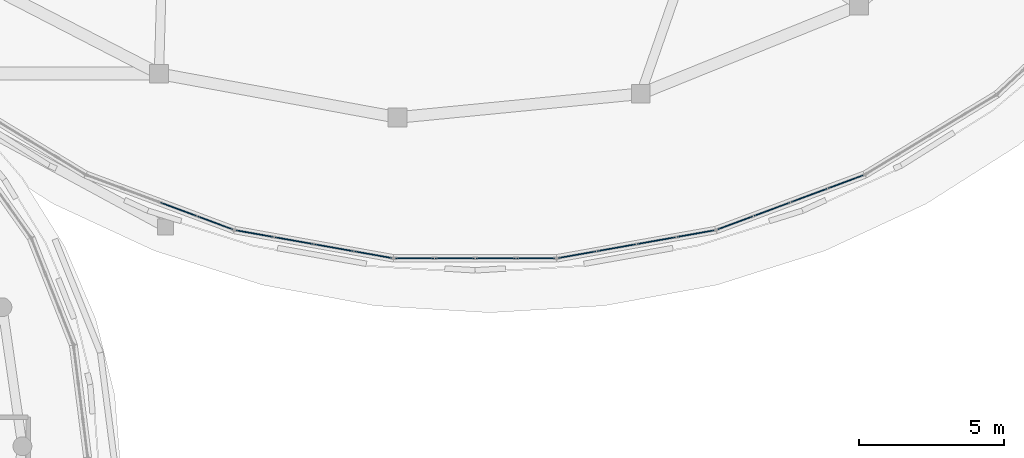
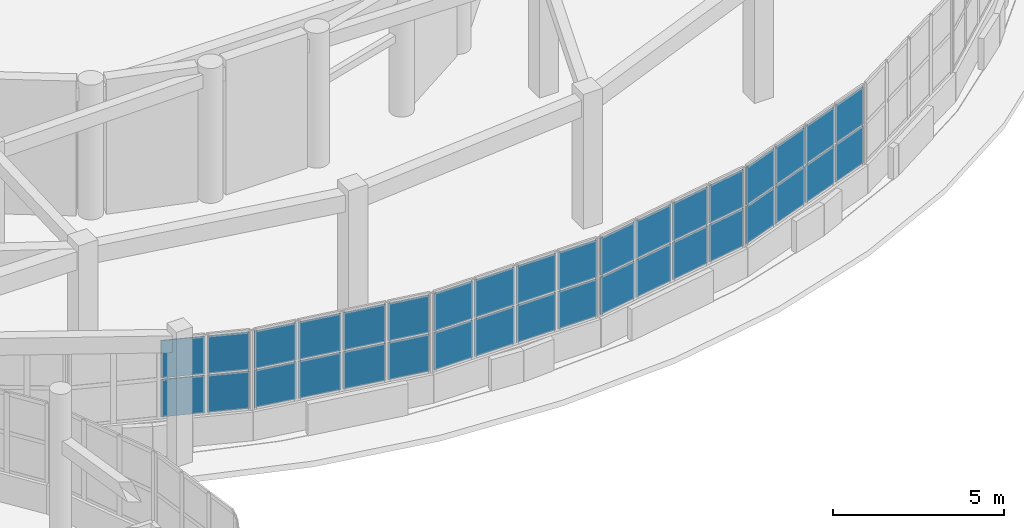
# One storey, part 72 of 105: 36 plates, 5 elements without a shape of their own.
"""IFC4 building model written with IfcOpenShell, lengths in metres."""

from ifc_helpers import new_model, si_unit, direction, frame, origin, origin_2d, place, context, subcontext, project, spatial, rectangle, extrude, material, layer, layer_set, type_object, element, aggregate, save


model = new_model("IFC4")

# Units and contexts
model_context = context("Model", 3, precision=1e-05, world=origin(), true_north=direction((0.0, 1.0)))
body_context = subcontext(model_context, "Body", "Model", "MODEL_VIEW")
ifc_project = project(units=[si_unit("LENGTHUNIT", "METRE"), si_unit("AREAUNIT", "SQUARE_METRE"), si_unit("VOLUMEUNIT", "CUBIC_METRE"), si_unit("PLANEANGLEUNIT", "RADIAN"), si_unit("MASSUNIT", "GRAM", prefix="KILO")], contexts=[model_context])

# Site, building, storey
site_placement = place(None, origin())
site = spatial("IfcSite", under=ifc_project, at=site_placement, CompositionType="ELEMENT")
building_placement = place(site_placement, origin())
building = spatial("IfcBuilding", under=site, at=building_placement, Name="Pelvatis Terrace Science Centre", CompositionType="ELEMENT")
storey_placement = place(building_placement, frame((0.0, 0.0, 10.199951171875)))
storey = spatial("IfcBuildingStorey", under=building, at=storey_placement, Name="L02", CompositionType="ELEMENT", Elevation=10.199951171875)

# Curtain wall, plates
ifc_material_1 = material(Name="Bronze-anodised aluminium and laminated glass", Category="aluminium")
ifc_layer_1 = layer(ifc_material_1, 0.179931640625)
ifc_layer_set_1 = layer_set([ifc_layer_1], Name="Bronze-anodised aluminium and laminated glass")
curtain_wall_type = type_object("IfcCurtainWallType", Name="CW-RIBBON-A", PredefinedType="NOTDEFINED", material=ifc_layer_set_1)
curtain_wall_1_placement = place(storey_placement, origin())
curtain_wall_1 = element("IfcCurtainWall", 1, at=curtain_wall_1_placement, inside=storey, type_object=curtain_wall_type, Name="Ribbon curtain wall CW-173 (L02)", PredefinedType="NOTDEFINED")
ifc_material_2 = material(Name="Low-e laminated solar-control double glazing", Category="glass")
ifc_layer_2 = layer(ifc_material_2, 0.035888671875)
ifc_layer_set_2 = layer_set([ifc_layer_2], Name="Low-e laminated solar-control double glazing")
plate_type = type_object("IfcPlateType", Name="CWP-IGU-36", PredefinedType="CURTAIN_PANEL", material=ifc_layer_set_2)
plate_1_placement = place(storey_placement, frame((100.3798828125, 62.7646484375, 1.080078125), z_axis=(0.0, 0.0, 1.0), x_axis=(0.937171415318, -0.348869228095, 0.0)))
plate_1 = element("IfcPlate", 2, at=plate_1_placement, type_object=plate_type, Name="CW-173 panel 3.1", PredefinedType="CURTAIN_PANEL", context=body_context, shape_type="SweptSolid", body=[
    extrude(rectangle(XDim=1.307861328125, YDim=0.035888671875, at=origin_2d()), origin(), (0.0, 0.0, 1.0), 1.330078125),
])
plate_2_placement = place(storey_placement, frame((100.3798828125, 62.7646484375, 2.469970703125), z_axis=(0.0, 0.0, 1.0), x_axis=(0.937171415318, -0.348869228095, 0.0)))
plate_2 = element("IfcPlate", 3, at=plate_2_placement, type_object=plate_type, Name="CW-173 panel 3.2", PredefinedType="CURTAIN_PANEL", context=body_context, shape_type="SweptSolid", body=[
    extrude(rectangle(XDim=1.307861328125, YDim=0.035888671875, at=origin_2d()), origin(), (0.0, 0.0, 1.0), 1.330078125),
])
plate_3_placement = place(storey_placement, frame((101.64794921875, 62.292724609375, 1.080078125), z_axis=(0.0, 0.0, 1.0), x_axis=(0.937171415318, -0.348869228095, 0.0)))
plate_3 = element("IfcPlate", 4, at=plate_3_placement, type_object=plate_type, Name="CW-173 panel 4.1", PredefinedType="CURTAIN_PANEL", context=body_context, shape_type="SweptSolid", body=[
    extrude(rectangle(XDim=1.27783203125, YDim=0.035888671875, at=origin_2d()), origin(), (0.0, 0.0, 1.0), 1.330078125),
])
plate_4_placement = place(storey_placement, frame((101.64794921875, 62.292724609375, 2.469970703125), z_axis=(0.0, 0.0, 1.0), x_axis=(0.937171415318, -0.348869228095, 0.0)))
plate_4 = element("IfcPlate", 5, at=plate_4_placement, type_object=plate_type, Name="CW-173 panel 4.2", PredefinedType="CURTAIN_PANEL", context=body_context, shape_type="SweptSolid", body=[
    extrude(rectangle(XDim=1.27783203125, YDim=0.035888671875, at=origin_2d()), origin(), (0.0, 0.0, 1.0), 1.330078125),
])
aggregate(curtain_wall_1, [plate_1, plate_2, plate_3, plate_4])

curtain_wall_2_placement = place(storey_placement, origin())
curtain_wall_2 = element("IfcCurtainWall", 6, at=curtain_wall_2_placement, inside=storey, type_object=curtain_wall_type, Name="Ribbon curtain wall CW-174 (L02)", PredefinedType="NOTDEFINED")
plate_5_placement = place(storey_placement, frame((103.00390625, 61.92431640625, 1.080078125), z_axis=(0.0, 0.0, 1.0), x_axis=(0.984571434014, -0.174983117252, 0.0)))
plate_5 = element("IfcPlate", 7, at=plate_5_placement, type_object=plate_type, Name="CW-174 panel 1.1", PredefinedType="CURTAIN_PANEL", context=body_context, shape_type="SweptSolid", body=[
    extrude(rectangle(XDim=1.30419921875, YDim=0.035888671875, at=origin_2d()), origin(), (0.0, 0.0, 1.0), 1.330078125),
])
plate_6_placement = place(storey_placement, frame((103.00390625, 61.92431640625, 2.469970703125), z_axis=(0.0, 0.0, 1.0), x_axis=(0.984571434014, -0.174983117252, 0.0)))
plate_6 = element("IfcPlate", 8, at=plate_6_placement, type_object=plate_type, Name="CW-174 panel 1.2", PredefinedType="CURTAIN_PANEL", context=body_context, shape_type="SweptSolid", body=[
    extrude(rectangle(XDim=1.30419921875, YDim=0.035888671875, at=origin_2d()), origin(), (0.0, 0.0, 1.0), 1.330078125),
])
plate_7_placement = place(storey_placement, frame((104.36181640625, 61.682861328125, 1.080078125), z_axis=(0.0, 0.0, 1.0), x_axis=(0.984571434014, -0.174983117252, 0.0)))
plate_7 = element("IfcPlate", 9, at=plate_7_placement, type_object=plate_type, Name="CW-174 panel 2.1", PredefinedType="CURTAIN_PANEL", context=body_context, shape_type="SweptSolid", body=[
    extrude(rectangle(XDim=1.334228515625, YDim=0.035888671875, at=origin_2d()), origin(), (0.0, 0.0, 1.0), 1.330078125),
])
plate_8_placement = place(storey_placement, frame((104.36181640625, 61.682861328125, 2.469970703125), z_axis=(0.0, 0.0, 1.0), x_axis=(0.984571434014, -0.174983117252, 0.0)))
plate_8 = element("IfcPlate", 10, at=plate_8_placement, type_object=plate_type, Name="CW-174 panel 2.2", PredefinedType="CURTAIN_PANEL", context=body_context, shape_type="SweptSolid", body=[
    extrude(rectangle(XDim=1.334228515625, YDim=0.035888671875, at=origin_2d()), origin(), (0.0, 0.0, 1.0), 1.330078125),
])
plate_9_placement = place(storey_placement, frame((105.734375, 61.43896484375, 1.080078125), z_axis=(0.0, 0.0, 1.0), x_axis=(0.984571434014, -0.174983117252, 0.0)))
plate_9 = element("IfcPlate", 11, at=plate_9_placement, type_object=plate_type, Name="CW-174 panel 3.1", PredefinedType="CURTAIN_PANEL", context=body_context, shape_type="SweptSolid", body=[
    extrude(rectangle(XDim=1.334228515625, YDim=0.035888671875, at=origin_2d()), origin(), (0.0, 0.0, 1.0), 1.330078125),
])
plate_10_placement = place(storey_placement, frame((105.734375, 61.43896484375, 2.469970703125), z_axis=(0.0, 0.0, 1.0), x_axis=(0.984571434014, -0.174983117252, 0.0)))
plate_10 = element("IfcPlate", 12, at=plate_10_placement, type_object=plate_type, Name="CW-174 panel 3.2", PredefinedType="CURTAIN_PANEL", context=body_context, shape_type="SweptSolid", body=[
    extrude(rectangle(XDim=1.334228515625, YDim=0.035888671875, at=origin_2d()), origin(), (0.0, 0.0, 1.0), 1.330078125),
])
plate_11_placement = place(storey_placement, frame((107.09228515625, 61.197509765625, 1.080078125), z_axis=(0.0, 0.0, 1.0), x_axis=(0.984571434014, -0.174983117252, 0.0)))
plate_11 = element("IfcPlate", 13, at=plate_11_placement, type_object=plate_type, Name="CW-174 panel 4.1", PredefinedType="CURTAIN_PANEL", context=body_context, shape_type="SweptSolid", body=[
    extrude(rectangle(XDim=1.30419921875, YDim=0.035888671875, at=origin_2d()), origin(), (0.0, 0.0, 1.0), 1.330078125),
])
plate_12_placement = place(storey_placement, frame((107.09228515625, 61.197509765625, 2.469970703125), z_axis=(0.0, 0.0, 1.0), x_axis=(0.984571434014, -0.174983117252, 0.0)))
plate_12 = element("IfcPlate", 14, at=plate_12_placement, type_object=plate_type, Name="CW-174 panel 4.2", PredefinedType="CURTAIN_PANEL", context=body_context, shape_type="SweptSolid", body=[
    extrude(rectangle(XDim=1.30419921875, YDim=0.035888671875, at=origin_2d()), origin(), (0.0, 0.0, 1.0), 1.330078125),
])
aggregate(curtain_wall_2, [plate_5, plate_6, plate_7, plate_8, plate_9, plate_10, plate_11, plate_12])

curtain_wall_3_placement = place(storey_placement, origin())
curtain_wall_3 = element("IfcCurtainWall", 15, at=curtain_wall_3_placement, inside=storey, type_object=curtain_wall_type, Name="Ribbon curtain wall CW-175 (L02)", PredefinedType="NOTDEFINED")
plate_13_placement = place(storey_placement, frame((108.510009765625, 61.072998046875, 1.080078125), z_axis=(0.0, 0.0, 1.0), x_axis=(1.0, 0.0, 0.0)))
plate_13 = element("IfcPlate", 16, at=plate_13_placement, type_object=plate_type, Name="CW-175 panel 1.1", PredefinedType="CURTAIN_PANEL", context=body_context, shape_type="SweptSolid", body=[
    extrude(rectangle(XDim=1.313232421875, YDim=0.035888671875, at=origin_2d()), origin(), (0.0, 0.0, 1.0), 1.330078125),
])
plate_14_placement = place(storey_placement, frame((108.510009765625, 61.072998046875, 2.469970703125), z_axis=(0.0, 0.0, 1.0), x_axis=(1.0, 0.0, 0.0)))
plate_14 = element("IfcPlate", 17, at=plate_14_placement, type_object=plate_type, Name="CW-175 panel 1.2", PredefinedType="CURTAIN_PANEL", context=body_context, shape_type="SweptSolid", body=[
    extrude(rectangle(XDim=1.313232421875, YDim=0.035888671875, at=origin_2d()), origin(), (0.0, 0.0, 1.0), 1.330078125),
])
plate_15_placement = place(storey_placement, frame((109.8984375, 61.072998046875, 1.080078125), z_axis=(0.0, 0.0, 1.0), x_axis=(1.0, 0.0, 0.0)))
plate_15 = element("IfcPlate", 18, at=plate_15_placement, type_object=plate_type, Name="CW-175 panel 2.1", PredefinedType="CURTAIN_PANEL", context=body_context, shape_type="SweptSolid", body=[
    extrude(rectangle(XDim=1.34326171875, YDim=0.035888671875, at=origin_2d()), origin(), (0.0, 0.0, 1.0), 1.330078125),
])
plate_16_placement = place(storey_placement, frame((109.8984375, 61.072998046875, 2.469970703125), z_axis=(0.0, 0.0, 1.0), x_axis=(1.0, 0.0, 0.0)))
plate_16 = element("IfcPlate", 19, at=plate_16_placement, type_object=plate_type, Name="CW-175 panel 2.2", PredefinedType="CURTAIN_PANEL", context=body_context, shape_type="SweptSolid", body=[
    extrude(rectangle(XDim=1.34326171875, YDim=0.035888671875, at=origin_2d()), origin(), (0.0, 0.0, 1.0), 1.330078125),
])
plate_17_placement = place(storey_placement, frame((111.3017578125, 61.072998046875, 1.080078125), z_axis=(0.0, 0.0, 1.0), x_axis=(1.0, 0.0, 0.0)))
plate_17 = element("IfcPlate", 20, at=plate_17_placement, type_object=plate_type, Name="CW-175 panel 3.1", PredefinedType="CURTAIN_PANEL", context=body_context, shape_type="SweptSolid", body=[
    extrude(rectangle(XDim=1.34326171875, YDim=0.035888671875, at=origin_2d()), origin(), (0.0, 0.0, 1.0), 1.330078125),
])
plate_18_placement = place(storey_placement, frame((111.3017578125, 61.072998046875, 2.469970703125), z_axis=(0.0, 0.0, 1.0), x_axis=(1.0, 0.0, 0.0)))
plate_18 = element("IfcPlate", 21, at=plate_18_placement, type_object=plate_type, Name="CW-175 panel 3.2", PredefinedType="CURTAIN_PANEL", context=body_context, shape_type="SweptSolid", body=[
    extrude(rectangle(XDim=1.34326171875, YDim=0.035888671875, at=origin_2d()), origin(), (0.0, 0.0, 1.0), 1.330078125),
])
plate_19_placement = place(storey_placement, frame((112.68994140625, 61.072998046875, 1.080078125), z_axis=(0.0, 0.0, 1.0), x_axis=(1.0, 0.0, 0.0)))
plate_19 = element("IfcPlate", 22, at=plate_19_placement, type_object=plate_type, Name="CW-175 panel 4.1", PredefinedType="CURTAIN_PANEL", context=body_context, shape_type="SweptSolid", body=[
    extrude(rectangle(XDim=1.313232421875, YDim=0.035888671875, at=origin_2d()), origin(), (0.0, 0.0, 1.0), 1.330078125),
])
plate_20_placement = place(storey_placement, frame((112.68994140625, 61.072998046875, 2.469970703125), z_axis=(0.0, 0.0, 1.0), x_axis=(1.0, 0.0, 0.0)))
plate_20 = element("IfcPlate", 23, at=plate_20_placement, type_object=plate_type, Name="CW-175 panel 4.2", PredefinedType="CURTAIN_PANEL", context=body_context, shape_type="SweptSolid", body=[
    extrude(rectangle(XDim=1.313232421875, YDim=0.035888671875, at=origin_2d()), origin(), (0.0, 0.0, 1.0), 1.330078125),
])
aggregate(curtain_wall_3, [plate_13, plate_14, plate_15, plate_16, plate_17, plate_18, plate_19, plate_20])

curtain_wall_4_placement = place(storey_placement, origin())
curtain_wall_4 = element("IfcCurtainWall", 24, at=curtain_wall_4_placement, inside=storey, type_object=curtain_wall_type, Name="Ribbon curtain wall CW-176 (L02)", PredefinedType="NOTDEFINED")
plate_21_placement = place(storey_placement, frame((114.107666015625, 61.197509765625, 1.080078125), z_axis=(0.0, 0.0, 1.0), x_axis=(0.984571434014, 0.174983117252, 0.0)))
plate_21 = element("IfcPlate", 25, at=plate_21_placement, type_object=plate_type, Name="CW-176 panel 1.1", PredefinedType="CURTAIN_PANEL", context=body_context, shape_type="SweptSolid", body=[
    extrude(rectangle(XDim=1.30419921875, YDim=0.035888671875, at=origin_2d()), origin(), (0.0, 0.0, 1.0), 1.330078125),
])
plate_22_placement = place(storey_placement, frame((114.107666015625, 61.197509765625, 2.469970703125), z_axis=(0.0, 0.0, 1.0), x_axis=(0.984571434014, 0.174983117252, 0.0)))
plate_22 = element("IfcPlate", 26, at=plate_22_placement, type_object=plate_type, Name="CW-176 panel 1.2", PredefinedType="CURTAIN_PANEL", context=body_context, shape_type="SweptSolid", body=[
    extrude(rectangle(XDim=1.30419921875, YDim=0.035888671875, at=origin_2d()), origin(), (0.0, 0.0, 1.0), 1.330078125),
])
plate_23_placement = place(storey_placement, frame((115.465576171875, 61.43896484375, 1.080078125), z_axis=(0.0, 0.0, 1.0), x_axis=(0.984571434014, 0.174983117252, 0.0)))
plate_23 = element("IfcPlate", 27, at=plate_23_placement, type_object=plate_type, Name="CW-176 panel 2.1", PredefinedType="CURTAIN_PANEL", context=body_context, shape_type="SweptSolid", body=[
    extrude(rectangle(XDim=1.334228515625, YDim=0.035888671875, at=origin_2d()), origin(), (0.0, 0.0, 1.0), 1.330078125),
])
plate_24_placement = place(storey_placement, frame((115.465576171875, 61.43896484375, 2.469970703125), z_axis=(0.0, 0.0, 1.0), x_axis=(0.984571434014, 0.174983117252, 0.0)))
plate_24 = element("IfcPlate", 28, at=plate_24_placement, type_object=plate_type, Name="CW-176 panel 2.2", PredefinedType="CURTAIN_PANEL", context=body_context, shape_type="SweptSolid", body=[
    extrude(rectangle(XDim=1.334228515625, YDim=0.035888671875, at=origin_2d()), origin(), (0.0, 0.0, 1.0), 1.330078125),
])
plate_25_placement = place(storey_placement, frame((116.838134765625, 61.682861328125, 1.080078125), z_axis=(0.0, 0.0, 1.0), x_axis=(0.984571434014, 0.174983117252, 0.0)))
plate_25 = element("IfcPlate", 29, at=plate_25_placement, type_object=plate_type, Name="CW-176 panel 3.1", PredefinedType="CURTAIN_PANEL", context=body_context, shape_type="SweptSolid", body=[
    extrude(rectangle(XDim=1.334228515625, YDim=0.035888671875, at=origin_2d()), origin(), (0.0, 0.0, 1.0), 1.330078125),
])
plate_26_placement = place(storey_placement, frame((116.838134765625, 61.682861328125, 2.469970703125), z_axis=(0.0, 0.0, 1.0), x_axis=(0.984571434014, 0.174983117252, 0.0)))
plate_26 = element("IfcPlate", 30, at=plate_26_placement, type_object=plate_type, Name="CW-176 panel 3.2", PredefinedType="CURTAIN_PANEL", context=body_context, shape_type="SweptSolid", body=[
    extrude(rectangle(XDim=1.334228515625, YDim=0.035888671875, at=origin_2d()), origin(), (0.0, 0.0, 1.0), 1.330078125),
])
plate_27_placement = place(storey_placement, frame((118.196044921875, 61.92431640625, 1.080078125), z_axis=(0.0, 0.0, 1.0), x_axis=(0.984571434014, 0.174983117252, 0.0)))
plate_27 = element("IfcPlate", 31, at=plate_27_placement, type_object=plate_type, Name="CW-176 panel 4.1", PredefinedType="CURTAIN_PANEL", context=body_context, shape_type="SweptSolid", body=[
    extrude(rectangle(XDim=1.30419921875, YDim=0.035888671875, at=origin_2d()), origin(), (0.0, 0.0, 1.0), 1.330078125),
])
plate_28_placement = place(storey_placement, frame((118.196044921875, 61.92431640625, 2.469970703125), z_axis=(0.0, 0.0, 1.0), x_axis=(0.984571434014, 0.174983117252, 0.0)))
plate_28 = element("IfcPlate", 32, at=plate_28_placement, type_object=plate_type, Name="CW-176 panel 4.2", PredefinedType="CURTAIN_PANEL", context=body_context, shape_type="SweptSolid", body=[
    extrude(rectangle(XDim=1.30419921875, YDim=0.035888671875, at=origin_2d()), origin(), (0.0, 0.0, 1.0), 1.330078125),
])
aggregate(curtain_wall_4, [plate_21, plate_22, plate_23, plate_24, plate_25, plate_26, plate_27, plate_28])

curtain_wall_5_placement = place(storey_placement, origin())
curtain_wall_5 = element("IfcCurtainWall", 33, at=curtain_wall_5_placement, inside=storey, type_object=curtain_wall_type, Name="Ribbon curtain wall CW-177 (L02)", PredefinedType="NOTDEFINED")
plate_29_placement = place(storey_placement, frame((119.55224609375, 62.292724609375, 1.080078125), z_axis=(0.0, 0.0, 1.0), x_axis=(0.937171415318, 0.348869228095, 0.0)))
plate_29 = element("IfcPlate", 34, at=plate_29_placement, type_object=plate_type, Name="CW-177 panel 1.1", PredefinedType="CURTAIN_PANEL", context=body_context, shape_type="SweptSolid", body=[
    extrude(rectangle(XDim=1.27783203125, YDim=0.035888671875, at=origin_2d()), origin(), (0.0, 0.0, 1.0), 1.330078125),
])
plate_30_placement = place(storey_placement, frame((119.55224609375, 62.292724609375, 2.469970703125), z_axis=(0.0, 0.0, 1.0), x_axis=(0.937171415318, 0.348869228095, 0.0)))
plate_30 = element("IfcPlate", 35, at=plate_30_placement, type_object=plate_type, Name="CW-177 panel 1.2", PredefinedType="CURTAIN_PANEL", context=body_context, shape_type="SweptSolid", body=[
    extrude(rectangle(XDim=1.27783203125, YDim=0.035888671875, at=origin_2d()), origin(), (0.0, 0.0, 1.0), 1.330078125),
])
plate_31_placement = place(storey_placement, frame((120.820068359375, 62.7646484375, 1.080078125), z_axis=(0.0, 0.0, 1.0), x_axis=(0.937171415318, 0.348869228095, 0.0)))
plate_31 = element("IfcPlate", 36, at=plate_31_placement, type_object=plate_type, Name="CW-177 panel 2.1", PredefinedType="CURTAIN_PANEL", context=body_context, shape_type="SweptSolid", body=[
    extrude(rectangle(XDim=1.307861328125, YDim=0.035888671875, at=origin_2d()), origin(), (0.0, 0.0, 1.0), 1.330078125),
])
plate_32_placement = place(storey_placement, frame((120.820068359375, 62.7646484375, 2.469970703125), z_axis=(0.0, 0.0, 1.0), x_axis=(0.937171415318, 0.348869228095, 0.0)))
plate_32 = element("IfcPlate", 37, at=plate_32_placement, type_object=plate_type, Name="CW-177 panel 2.2", PredefinedType="CURTAIN_PANEL", context=body_context, shape_type="SweptSolid", body=[
    extrude(rectangle(XDim=1.307861328125, YDim=0.035888671875, at=origin_2d()), origin(), (0.0, 0.0, 1.0), 1.330078125),
])
plate_33_placement = place(storey_placement, frame((122.10205078125, 63.241943359375, 1.080078125), z_axis=(0.0, 0.0, 1.0), x_axis=(0.937171415318, 0.348869228095, 0.0)))
plate_33 = element("IfcPlate", 38, at=plate_33_placement, type_object=plate_type, Name="CW-177 panel 3.1", PredefinedType="CURTAIN_PANEL", context=body_context, shape_type="SweptSolid", body=[
    extrude(rectangle(XDim=1.307861328125, YDim=0.035888671875, at=origin_2d()), origin(), (0.0, 0.0, 1.0), 1.330078125),
])
plate_34_placement = place(storey_placement, frame((122.10205078125, 63.241943359375, 2.469970703125), z_axis=(0.0, 0.0, 1.0), x_axis=(0.937171415318, 0.348869228095, 0.0)))
plate_34 = element("IfcPlate", 39, at=plate_34_placement, type_object=plate_type, Name="CW-177 panel 3.2", PredefinedType="CURTAIN_PANEL", context=body_context, shape_type="SweptSolid", body=[
    extrude(rectangle(XDim=1.307861328125, YDim=0.035888671875, at=origin_2d()), origin(), (0.0, 0.0, 1.0), 1.330078125),
])
plate_35_placement = place(storey_placement, frame((123.369873046875, 63.7138671875, 1.080078125), z_axis=(0.0, 0.0, 1.0), x_axis=(0.937171415318, 0.348869228095, 0.0)))
plate_35 = element("IfcPlate", 40, at=plate_35_placement, type_object=plate_type, Name="CW-177 panel 4.1", PredefinedType="CURTAIN_PANEL", context=body_context, shape_type="SweptSolid", body=[
    extrude(rectangle(XDim=1.27783203125, YDim=0.035888671875, at=origin_2d()), origin(), (0.0, 0.0, 1.0), 1.330078125),
])
plate_36_placement = place(storey_placement, frame((123.369873046875, 63.7138671875, 2.469970703125), z_axis=(0.0, 0.0, 1.0), x_axis=(0.937171415318, 0.348869228095, 0.0)))
plate_36 = element("IfcPlate", 41, at=plate_36_placement, type_object=plate_type, Name="CW-177 panel 4.2", PredefinedType="CURTAIN_PANEL", context=body_context, shape_type="SweptSolid", body=[
    extrude(rectangle(XDim=1.27783203125, YDim=0.035888671875, at=origin_2d()), origin(), (0.0, 0.0, 1.0), 1.330078125),
])
aggregate(curtain_wall_5, [plate_29, plate_30, plate_31, plate_32, plate_33, plate_34, plate_35, plate_36])

save(model, "model.ifc")
